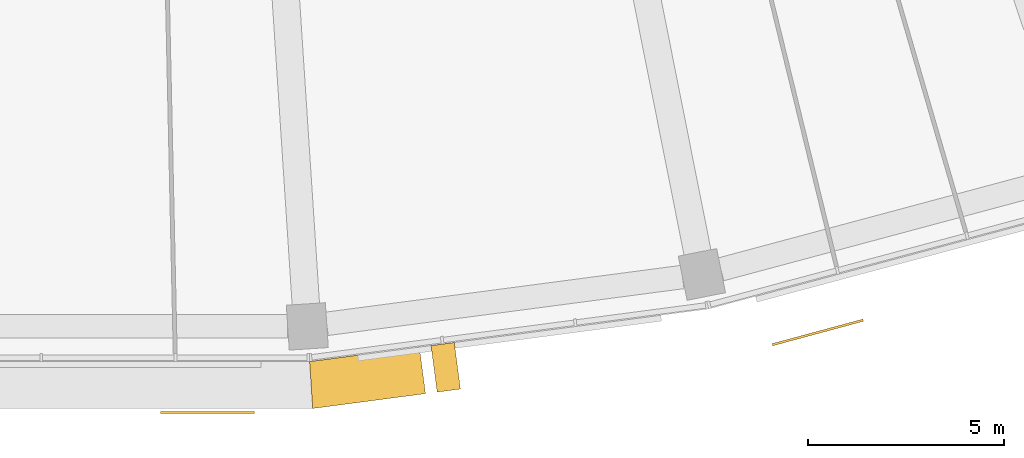
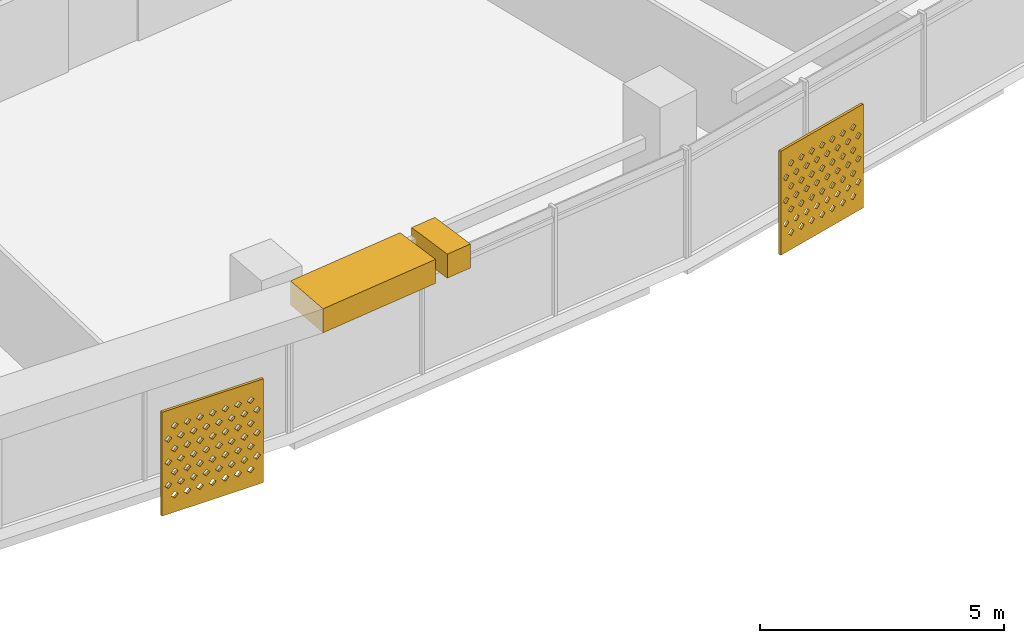
# One storey, part 26 of 29: 4 shading devices.
"""IFC4 building model written with IfcOpenShell, lengths in metres."""

from ifc_helpers import new_model, si_unit, direction, frame, origin, place, context, subcontext, project, spatial, polyline, outline, extrude, material, material_profile, profile_set, type_object, element, save


model = new_model("IFC4")

# Units and contexts
model_context = context("Model", 3, precision=1e-05, world=origin(), true_north=direction((0.0, 1.0)))
body_context = subcontext(model_context, "Body", "Model", "MODEL_VIEW")
ifc_project = project(units=[si_unit("LENGTHUNIT", "METRE"), si_unit("AREAUNIT", "SQUARE_METRE"), si_unit("VOLUMEUNIT", "CUBIC_METRE"), si_unit("PLANEANGLEUNIT", "RADIAN"), si_unit("MASSUNIT", "GRAM", prefix="KILO")], contexts=[model_context])

# Site, building, storey
site_placement = place(None, origin())
site = spatial("IfcSite", under=ifc_project, at=site_placement, CompositionType="ELEMENT")
building_placement = place(site_placement, origin())
building = spatial("IfcBuilding", under=site, at=building_placement, Name="Qamariyya Broadcast Tower", CompositionType="ELEMENT")
storey_placement = place(building_placement, frame((0.0, 0.0, 207.5)))
storey = spatial("IfcBuildingStorey", under=building, at=storey_placement, Name="L49", CompositionType="ELEMENT", Elevation=207.5)

# Shading devices
ifc_material_1 = material(Name="Steel S355 powder coated deep red", Category="steel")
shading_device_type_1 = type_object("IfcShadingDeviceType", Name="Deep red frame, powder coated steel box section", PredefinedType="USERDEFINED", material=ifc_material_1)
shading_device_1_placement = place(storey_placement, frame((0.0, 0.0, 3.199951171875)))
element("IfcShadingDevice", 1, at=shading_device_1_placement, inside=storey, type_object=shading_device_type_1, Name="e-frm-B4-F2-postb-L49", ObjectType="FRAME", PredefinedType="USERDEFINED", context=body_context, shape_type="SweptSolid", body=[
    extrude(outline(polyline([(8.24658203125, -78.0732421875), (8.403076171875, -79.262939453125), (8.998046875, -79.1845703125), (8.84130859375, -77.994873046875), (8.24658203125, -78.0732421875)])), origin(), (0.0, 0.0, 1.0), 0.60009765625),
])
shading_device_2_placement = place(storey_placement, frame((0.0, 0.0, 3.199951171875)))
element("IfcShadingDevice", 2, at=shading_device_2_placement, inside=storey, type_object=shading_device_type_1, Name="e-frm-B4-F2-bot2", ObjectType="FRAME", PredefinedType="USERDEFINED", context=body_context, shape_type="SweptSolid", body=[
    extrude(outline(polyline([(5.14404296875, -78.481689453125), (5.22265625, -79.681640625), (8.105712890625, -79.302001953125), (7.948974609375, -78.1123046875), (5.14404296875, -78.481689453125)])), origin(), (0.0, 0.0, 1.0), 0.60009765625),
])
ifc_material_2 = material(Name="Perforated glazed terracotta", Category="masonry")
ifc_material_profile = material_profile(ifc_material_2, outline(polyline([(-1.199951171875, -1.300048828125), (1.199951171875, -1.300048828125), (1.199951171875, 1.300048828125), (-1.199951171875, 1.300048828125), (-1.199951171875, -1.300048828125)]), holes=[polyline([(-0.81494140625, -0.86669921875), (-0.89990234375, -0.78173828125), (-0.985107421875, -0.86669921875), (-0.89990234375, -0.95166015625), (-0.81494140625, -0.86669921875)]), polyline([(-0.514892578125, -0.86669921875), (-0.60009765625, -0.78173828125), (-0.68505859375, -0.86669921875), (-0.60009765625, -0.95166015625), (-0.514892578125, -0.86669921875)]), polyline([(-0.215087890625, -0.86669921875), (-0.300048828125, -0.78173828125), (-0.385009765625, -0.86669921875), (-0.300048828125, -0.95166015625), (-0.215087890625, -0.86669921875)]), polyline([(0.0849609375, -0.86669921875), (0.0, -0.78173828125), (-0.0849609375, -0.86669921875), (0.0, -0.95166015625), (0.0849609375, -0.86669921875)]), polyline([(0.385009765625, -0.86669921875), (0.300048828125, -0.78173828125), (0.215087890625, -0.86669921875), (0.300048828125, -0.95166015625), (0.385009765625, -0.86669921875)]), polyline([(0.68505859375, -0.86669921875), (0.60009765625, -0.78173828125), (0.514892578125, -0.86669921875), (0.60009765625, -0.95166015625), (0.68505859375, -0.86669921875)]), polyline([(0.985107421875, -0.86669921875), (0.89990234375, -0.78173828125), (0.81494140625, -0.86669921875), (0.89990234375, -0.95166015625), (0.985107421875, -0.86669921875)]), polyline([(-0.965087890625, -0.577880859375), (-1.050048828125, -0.49267578125), (-1.135009765625, -0.577880859375), (-1.050048828125, -0.662841796875), (-0.965087890625, -0.577880859375)]), polyline([(-0.6650390625, -0.577880859375), (-0.75, -0.49267578125), (-0.8349609375, -0.577880859375), (-0.75, -0.662841796875), (-0.6650390625, -0.577880859375)]), polyline([(-0.364990234375, -0.577880859375), (-0.449951171875, -0.49267578125), (-0.534912109375, -0.577880859375), (-0.449951171875, -0.662841796875), (-0.364990234375, -0.577880859375)]), polyline([(-0.06494140625, -0.577880859375), (-0.14990234375, -0.49267578125), (-0.235107421875, -0.577880859375), (-0.14990234375, -0.662841796875), (-0.06494140625, -0.577880859375)]), polyline([(0.235107421875, -0.577880859375), (0.14990234375, -0.49267578125), (0.06494140625, -0.577880859375), (0.14990234375, -0.662841796875), (0.235107421875, -0.577880859375)]), polyline([(0.534912109375, -0.577880859375), (0.449951171875, -0.49267578125), (0.364990234375, -0.577880859375), (0.449951171875, -0.662841796875), (0.534912109375, -0.577880859375)]), polyline([(0.8349609375, -0.577880859375), (0.75, -0.49267578125), (0.6650390625, -0.577880859375), (0.75, -0.662841796875), (0.8349609375, -0.577880859375)]), polyline([(1.135009765625, -0.577880859375), (1.050048828125, -0.49267578125), (0.965087890625, -0.577880859375), (1.050048828125, -0.662841796875), (1.135009765625, -0.577880859375)]), polyline([(-0.81494140625, -0.288818359375), (-0.89990234375, -0.203857421875), (-0.985107421875, -0.288818359375), (-0.89990234375, -0.373779296875), (-0.81494140625, -0.288818359375)]), polyline([(-0.514892578125, -0.288818359375), (-0.60009765625, -0.203857421875), (-0.68505859375, -0.288818359375), (-0.60009765625, -0.373779296875), (-0.514892578125, -0.288818359375)]), polyline([(-0.215087890625, -0.288818359375), (-0.300048828125, -0.203857421875), (-0.385009765625, -0.288818359375), (-0.300048828125, -0.373779296875), (-0.215087890625, -0.288818359375)]), polyline([(0.0849609375, -0.288818359375), (0.0, -0.203857421875), (-0.0849609375, -0.288818359375), (0.0, -0.373779296875), (0.0849609375, -0.288818359375)]), polyline([(0.385009765625, -0.288818359375), (0.300048828125, -0.203857421875), (0.215087890625, -0.288818359375), (0.300048828125, -0.373779296875), (0.385009765625, -0.288818359375)]), polyline([(0.68505859375, -0.288818359375), (0.60009765625, -0.203857421875), (0.514892578125, -0.288818359375), (0.60009765625, -0.373779296875), (0.68505859375, -0.288818359375)]), polyline([(0.985107421875, -0.288818359375), (0.89990234375, -0.203857421875), (0.81494140625, -0.288818359375), (0.89990234375, -0.373779296875), (0.985107421875, -0.288818359375)]), polyline([(-0.965087890625, 0.0), (-1.050048828125, 0.0849609375), (-1.135009765625, 0.0), (-1.050048828125, -0.0849609375), (-0.965087890625, 0.0)]), polyline([(-0.6650390625, 0.0), (-0.75, 0.0849609375), (-0.8349609375, 0.0), (-0.75, -0.0849609375), (-0.6650390625, 0.0)]), polyline([(-0.364990234375, 0.0), (-0.449951171875, 0.0849609375), (-0.534912109375, 0.0), (-0.449951171875, -0.0849609375), (-0.364990234375, 0.0)]), polyline([(-0.06494140625, 0.0), (-0.14990234375, 0.0849609375), (-0.235107421875, 0.0), (-0.14990234375, -0.0849609375), (-0.06494140625, 0.0)]), polyline([(0.235107421875, 0.0), (0.14990234375, 0.0849609375), (0.06494140625, 0.0), (0.14990234375, -0.0849609375), (0.235107421875, 0.0)]), polyline([(0.534912109375, 0.0), (0.449951171875, 0.0849609375), (0.364990234375, 0.0), (0.449951171875, -0.0849609375), (0.534912109375, 0.0)]), polyline([(0.8349609375, 0.0), (0.75, 0.0849609375), (0.6650390625, 0.0), (0.75, -0.0849609375), (0.8349609375, 0.0)]), polyline([(1.135009765625, 0.0), (1.050048828125, 0.0849609375), (0.965087890625, 0.0), (1.050048828125, -0.0849609375), (1.135009765625, 0.0)]), polyline([(-0.81494140625, 0.288818359375), (-0.89990234375, 0.373779296875), (-0.985107421875, 0.288818359375), (-0.89990234375, 0.203857421875), (-0.81494140625, 0.288818359375)]), polyline([(-0.514892578125, 0.288818359375), (-0.60009765625, 0.373779296875), (-0.68505859375, 0.288818359375), (-0.60009765625, 0.203857421875), (-0.514892578125, 0.288818359375)]), polyline([(-0.215087890625, 0.288818359375), (-0.300048828125, 0.373779296875), (-0.385009765625, 0.288818359375), (-0.300048828125, 0.203857421875), (-0.215087890625, 0.288818359375)]), polyline([(0.0849609375, 0.288818359375), (0.0, 0.373779296875), (-0.0849609375, 0.288818359375), (0.0, 0.203857421875), (0.0849609375, 0.288818359375)]), polyline([(0.385009765625, 0.288818359375), (0.300048828125, 0.373779296875), (0.215087890625, 0.288818359375), (0.300048828125, 0.203857421875), (0.385009765625, 0.288818359375)]), polyline([(0.68505859375, 0.288818359375), (0.60009765625, 0.373779296875), (0.514892578125, 0.288818359375), (0.60009765625, 0.203857421875), (0.68505859375, 0.288818359375)]), polyline([(0.985107421875, 0.288818359375), (0.89990234375, 0.373779296875), (0.81494140625, 0.288818359375), (0.89990234375, 0.203857421875), (0.985107421875, 0.288818359375)]), polyline([(-0.965087890625, 0.577880859375), (-1.050048828125, 0.662841796875), (-1.135009765625, 0.577880859375), (-1.050048828125, 0.49267578125), (-0.965087890625, 0.577880859375)]), polyline([(-0.6650390625, 0.577880859375), (-0.75, 0.662841796875), (-0.8349609375, 0.577880859375), (-0.75, 0.49267578125), (-0.6650390625, 0.577880859375)]), polyline([(-0.364990234375, 0.577880859375), (-0.449951171875, 0.662841796875), (-0.534912109375, 0.577880859375), (-0.449951171875, 0.49267578125), (-0.364990234375, 0.577880859375)]), polyline([(-0.06494140625, 0.577880859375), (-0.14990234375, 0.662841796875), (-0.235107421875, 0.577880859375), (-0.14990234375, 0.49267578125), (-0.06494140625, 0.577880859375)]), polyline([(0.235107421875, 0.577880859375), (0.14990234375, 0.662841796875), (0.06494140625, 0.577880859375), (0.14990234375, 0.49267578125), (0.235107421875, 0.577880859375)]), polyline([(0.534912109375, 0.577880859375), (0.449951171875, 0.662841796875), (0.364990234375, 0.577880859375), (0.449951171875, 0.49267578125), (0.534912109375, 0.577880859375)]), polyline([(0.8349609375, 0.577880859375), (0.75, 0.662841796875), (0.6650390625, 0.577880859375), (0.75, 0.49267578125), (0.8349609375, 0.577880859375)]), polyline([(1.135009765625, 0.577880859375), (1.050048828125, 0.662841796875), (0.965087890625, 0.577880859375), (1.050048828125, 0.49267578125), (1.135009765625, 0.577880859375)]), polyline([(-0.81494140625, 0.86669921875), (-0.89990234375, 0.95166015625), (-0.985107421875, 0.86669921875), (-0.89990234375, 0.78173828125), (-0.81494140625, 0.86669921875)]), polyline([(-0.514892578125, 0.86669921875), (-0.60009765625, 0.95166015625), (-0.68505859375, 0.86669921875), (-0.60009765625, 0.78173828125), (-0.514892578125, 0.86669921875)]), polyline([(-0.215087890625, 0.86669921875), (-0.300048828125, 0.95166015625), (-0.385009765625, 0.86669921875), (-0.300048828125, 0.78173828125), (-0.215087890625, 0.86669921875)]), polyline([(0.0849609375, 0.86669921875), (0.0, 0.95166015625), (-0.0849609375, 0.86669921875), (0.0, 0.78173828125), (0.0849609375, 0.86669921875)]), polyline([(0.385009765625, 0.86669921875), (0.300048828125, 0.95166015625), (0.215087890625, 0.86669921875), (0.300048828125, 0.78173828125), (0.385009765625, 0.86669921875)]), polyline([(0.68505859375, 0.86669921875), (0.60009765625, 0.95166015625), (0.514892578125, 0.86669921875), (0.60009765625, 0.78173828125), (0.68505859375, 0.86669921875)]), polyline([(0.985107421875, 0.86669921875), (0.89990234375, 0.95166015625), (0.81494140625, 0.86669921875), (0.89990234375, 0.78173828125), (0.985107421875, 0.86669921875)])]))
ifc_profile_set = profile_set([ifc_material_profile], Name="Perforated glazed terracotta")
shading_device_type_2 = type_object("IfcShadingDeviceType", Name="Perforated terracotta screen 2400 x 2600", PredefinedType="USERDEFINED", material=ifc_profile_set)
shading_device_3_placement = place(storey_placement, frame((2.535888671875, -79.751708984375, 1.35009765625), z_axis=(0.0, -1.0, 0.0), x_axis=(1.0, 0.0, 0.0)))
element("IfcShadingDevice", 3, at=shading_device_3_placement, inside=storey, type_object=shading_device_type_2, Name="e-scr-L49-08-2", ObjectType="SCREEN", PredefinedType="USERDEFINED", context=body_context, shape_type="SweptSolid", body=[
    extrude(outline(polyline([(-1.199951171875, -1.300048828125), (1.199951171875, -1.300048828125), (1.199951171875, 1.300048828125), (-1.199951171875, 1.300048828125), (-1.199951171875, -1.300048828125)]), holes=[polyline([(-0.81494140625, -0.86669921875), (-0.89990234375, -0.78173828125), (-0.985107421875, -0.86669921875), (-0.89990234375, -0.95166015625), (-0.81494140625, -0.86669921875)]), polyline([(-0.514892578125, -0.86669921875), (-0.60009765625, -0.78173828125), (-0.68505859375, -0.86669921875), (-0.60009765625, -0.95166015625), (-0.514892578125, -0.86669921875)]), polyline([(-0.215087890625, -0.86669921875), (-0.300048828125, -0.78173828125), (-0.385009765625, -0.86669921875), (-0.300048828125, -0.95166015625), (-0.215087890625, -0.86669921875)]), polyline([(0.0849609375, -0.86669921875), (0.0, -0.78173828125), (-0.0849609375, -0.86669921875), (0.0, -0.95166015625), (0.0849609375, -0.86669921875)]), polyline([(0.385009765625, -0.86669921875), (0.300048828125, -0.78173828125), (0.215087890625, -0.86669921875), (0.300048828125, -0.95166015625), (0.385009765625, -0.86669921875)]), polyline([(0.68505859375, -0.86669921875), (0.60009765625, -0.78173828125), (0.514892578125, -0.86669921875), (0.60009765625, -0.95166015625), (0.68505859375, -0.86669921875)]), polyline([(0.985107421875, -0.86669921875), (0.89990234375, -0.78173828125), (0.81494140625, -0.86669921875), (0.89990234375, -0.95166015625), (0.985107421875, -0.86669921875)]), polyline([(-0.965087890625, -0.577880859375), (-1.050048828125, -0.49267578125), (-1.135009765625, -0.577880859375), (-1.050048828125, -0.662841796875), (-0.965087890625, -0.577880859375)]), polyline([(-0.6650390625, -0.577880859375), (-0.75, -0.49267578125), (-0.8349609375, -0.577880859375), (-0.75, -0.662841796875), (-0.6650390625, -0.577880859375)]), polyline([(-0.364990234375, -0.577880859375), (-0.449951171875, -0.49267578125), (-0.534912109375, -0.577880859375), (-0.449951171875, -0.662841796875), (-0.364990234375, -0.577880859375)]), polyline([(-0.06494140625, -0.577880859375), (-0.14990234375, -0.49267578125), (-0.235107421875, -0.577880859375), (-0.14990234375, -0.662841796875), (-0.06494140625, -0.577880859375)]), polyline([(0.235107421875, -0.577880859375), (0.14990234375, -0.49267578125), (0.06494140625, -0.577880859375), (0.14990234375, -0.662841796875), (0.235107421875, -0.577880859375)]), polyline([(0.534912109375, -0.577880859375), (0.449951171875, -0.49267578125), (0.364990234375, -0.577880859375), (0.449951171875, -0.662841796875), (0.534912109375, -0.577880859375)]), polyline([(0.8349609375, -0.577880859375), (0.75, -0.49267578125), (0.6650390625, -0.577880859375), (0.75, -0.662841796875), (0.8349609375, -0.577880859375)]), polyline([(1.135009765625, -0.577880859375), (1.050048828125, -0.49267578125), (0.965087890625, -0.577880859375), (1.050048828125, -0.662841796875), (1.135009765625, -0.577880859375)]), polyline([(-0.81494140625, -0.288818359375), (-0.89990234375, -0.203857421875), (-0.985107421875, -0.288818359375), (-0.89990234375, -0.373779296875), (-0.81494140625, -0.288818359375)]), polyline([(-0.514892578125, -0.288818359375), (-0.60009765625, -0.203857421875), (-0.68505859375, -0.288818359375), (-0.60009765625, -0.373779296875), (-0.514892578125, -0.288818359375)]), polyline([(-0.215087890625, -0.288818359375), (-0.300048828125, -0.203857421875), (-0.385009765625, -0.288818359375), (-0.300048828125, -0.373779296875), (-0.215087890625, -0.288818359375)]), polyline([(0.0849609375, -0.288818359375), (0.0, -0.203857421875), (-0.0849609375, -0.288818359375), (0.0, -0.373779296875), (0.0849609375, -0.288818359375)]), polyline([(0.385009765625, -0.288818359375), (0.300048828125, -0.203857421875), (0.215087890625, -0.288818359375), (0.300048828125, -0.373779296875), (0.385009765625, -0.288818359375)]), polyline([(0.68505859375, -0.288818359375), (0.60009765625, -0.203857421875), (0.514892578125, -0.288818359375), (0.60009765625, -0.373779296875), (0.68505859375, -0.288818359375)]), polyline([(0.985107421875, -0.288818359375), (0.89990234375, -0.203857421875), (0.81494140625, -0.288818359375), (0.89990234375, -0.373779296875), (0.985107421875, -0.288818359375)]), polyline([(-0.965087890625, 0.0), (-1.050048828125, 0.0849609375), (-1.135009765625, 0.0), (-1.050048828125, -0.0849609375), (-0.965087890625, 0.0)]), polyline([(-0.6650390625, 0.0), (-0.75, 0.0849609375), (-0.8349609375, 0.0), (-0.75, -0.0849609375), (-0.6650390625, 0.0)]), polyline([(-0.364990234375, 0.0), (-0.449951171875, 0.0849609375), (-0.534912109375, 0.0), (-0.449951171875, -0.0849609375), (-0.364990234375, 0.0)]), polyline([(-0.06494140625, 0.0), (-0.14990234375, 0.0849609375), (-0.235107421875, 0.0), (-0.14990234375, -0.0849609375), (-0.06494140625, 0.0)]), polyline([(0.235107421875, 0.0), (0.14990234375, 0.0849609375), (0.06494140625, 0.0), (0.14990234375, -0.0849609375), (0.235107421875, 0.0)]), polyline([(0.534912109375, 0.0), (0.449951171875, 0.0849609375), (0.364990234375, 0.0), (0.449951171875, -0.0849609375), (0.534912109375, 0.0)]), polyline([(0.8349609375, 0.0), (0.75, 0.0849609375), (0.6650390625, 0.0), (0.75, -0.0849609375), (0.8349609375, 0.0)]), polyline([(1.135009765625, 0.0), (1.050048828125, 0.0849609375), (0.965087890625, 0.0), (1.050048828125, -0.0849609375), (1.135009765625, 0.0)]), polyline([(-0.81494140625, 0.288818359375), (-0.89990234375, 0.373779296875), (-0.985107421875, 0.288818359375), (-0.89990234375, 0.203857421875), (-0.81494140625, 0.288818359375)]), polyline([(-0.514892578125, 0.288818359375), (-0.60009765625, 0.373779296875), (-0.68505859375, 0.288818359375), (-0.60009765625, 0.203857421875), (-0.514892578125, 0.288818359375)]), polyline([(-0.215087890625, 0.288818359375), (-0.300048828125, 0.373779296875), (-0.385009765625, 0.288818359375), (-0.300048828125, 0.203857421875), (-0.215087890625, 0.288818359375)]), polyline([(0.0849609375, 0.288818359375), (0.0, 0.373779296875), (-0.0849609375, 0.288818359375), (0.0, 0.203857421875), (0.0849609375, 0.288818359375)]), polyline([(0.385009765625, 0.288818359375), (0.300048828125, 0.373779296875), (0.215087890625, 0.288818359375), (0.300048828125, 0.203857421875), (0.385009765625, 0.288818359375)]), polyline([(0.68505859375, 0.288818359375), (0.60009765625, 0.373779296875), (0.514892578125, 0.288818359375), (0.60009765625, 0.203857421875), (0.68505859375, 0.288818359375)]), polyline([(0.985107421875, 0.288818359375), (0.89990234375, 0.373779296875), (0.81494140625, 0.288818359375), (0.89990234375, 0.203857421875), (0.985107421875, 0.288818359375)]), polyline([(-0.965087890625, 0.577880859375), (-1.050048828125, 0.662841796875), (-1.135009765625, 0.577880859375), (-1.050048828125, 0.49267578125), (-0.965087890625, 0.577880859375)]), polyline([(-0.6650390625, 0.577880859375), (-0.75, 0.662841796875), (-0.8349609375, 0.577880859375), (-0.75, 0.49267578125), (-0.6650390625, 0.577880859375)]), polyline([(-0.364990234375, 0.577880859375), (-0.449951171875, 0.662841796875), (-0.534912109375, 0.577880859375), (-0.449951171875, 0.49267578125), (-0.364990234375, 0.577880859375)]), polyline([(-0.06494140625, 0.577880859375), (-0.14990234375, 0.662841796875), (-0.235107421875, 0.577880859375), (-0.14990234375, 0.49267578125), (-0.06494140625, 0.577880859375)]), polyline([(0.235107421875, 0.577880859375), (0.14990234375, 0.662841796875), (0.06494140625, 0.577880859375), (0.14990234375, 0.49267578125), (0.235107421875, 0.577880859375)]), polyline([(0.534912109375, 0.577880859375), (0.449951171875, 0.662841796875), (0.364990234375, 0.577880859375), (0.449951171875, 0.49267578125), (0.534912109375, 0.577880859375)]), polyline([(0.8349609375, 0.577880859375), (0.75, 0.662841796875), (0.6650390625, 0.577880859375), (0.75, 0.49267578125), (0.8349609375, 0.577880859375)]), polyline([(1.135009765625, 0.577880859375), (1.050048828125, 0.662841796875), (0.965087890625, 0.577880859375), (1.050048828125, 0.49267578125), (1.135009765625, 0.577880859375)]), polyline([(-0.81494140625, 0.86669921875), (-0.89990234375, 0.95166015625), (-0.985107421875, 0.86669921875), (-0.89990234375, 0.78173828125), (-0.81494140625, 0.86669921875)]), polyline([(-0.514892578125, 0.86669921875), (-0.60009765625, 0.95166015625), (-0.68505859375, 0.86669921875), (-0.60009765625, 0.78173828125), (-0.514892578125, 0.86669921875)]), polyline([(-0.215087890625, 0.86669921875), (-0.300048828125, 0.95166015625), (-0.385009765625, 0.86669921875), (-0.300048828125, 0.78173828125), (-0.215087890625, 0.86669921875)]), polyline([(0.0849609375, 0.86669921875), (0.0, 0.95166015625), (-0.0849609375, 0.86669921875), (0.0, 0.78173828125), (0.0849609375, 0.86669921875)]), polyline([(0.385009765625, 0.86669921875), (0.300048828125, 0.95166015625), (0.215087890625, 0.86669921875), (0.300048828125, 0.78173828125), (0.385009765625, 0.86669921875)]), polyline([(0.68505859375, 0.86669921875), (0.60009765625, 0.95166015625), (0.514892578125, 0.86669921875), (0.60009765625, 0.78173828125), (0.68505859375, 0.86669921875)]), polyline([(0.985107421875, 0.86669921875), (0.89990234375, 0.95166015625), (0.81494140625, 0.86669921875), (0.89990234375, 0.78173828125), (0.985107421875, 0.86669921875)])]), origin(), (0.0, 0.0, 1.0), 0.059814453125),
])
shading_device_4_placement = place(storey_placement, frame((18.1220703125, -77.709228515625, 1.35009765625), z_axis=(0.260703819255, -0.965418830677, 0.0), x_axis=(0.965418830677, 0.260703819255, 0.0)))
element("IfcShadingDevice", 4, at=shading_device_4_placement, inside=storey, type_object=shading_device_type_2, Name="e-scr-L49-10-0", ObjectType="SCREEN", PredefinedType="USERDEFINED", context=body_context, shape_type="SweptSolid", body=[
    extrude(outline(polyline([(-1.199951171875, -1.300048828125), (1.199951171875, -1.300048828125), (1.199951171875, 1.300048828125), (-1.199951171875, 1.300048828125), (-1.199951171875, -1.300048828125)]), holes=[polyline([(-0.81494140625, -0.86669921875), (-0.89990234375, -0.78173828125), (-0.985107421875, -0.86669921875), (-0.89990234375, -0.95166015625), (-0.81494140625, -0.86669921875)]), polyline([(-0.514892578125, -0.86669921875), (-0.60009765625, -0.78173828125), (-0.68505859375, -0.86669921875), (-0.60009765625, -0.95166015625), (-0.514892578125, -0.86669921875)]), polyline([(-0.215087890625, -0.86669921875), (-0.300048828125, -0.78173828125), (-0.385009765625, -0.86669921875), (-0.300048828125, -0.95166015625), (-0.215087890625, -0.86669921875)]), polyline([(0.0849609375, -0.86669921875), (0.0, -0.78173828125), (-0.0849609375, -0.86669921875), (0.0, -0.95166015625), (0.0849609375, -0.86669921875)]), polyline([(0.385009765625, -0.86669921875), (0.300048828125, -0.78173828125), (0.215087890625, -0.86669921875), (0.300048828125, -0.95166015625), (0.385009765625, -0.86669921875)]), polyline([(0.68505859375, -0.86669921875), (0.60009765625, -0.78173828125), (0.514892578125, -0.86669921875), (0.60009765625, -0.95166015625), (0.68505859375, -0.86669921875)]), polyline([(0.985107421875, -0.86669921875), (0.89990234375, -0.78173828125), (0.81494140625, -0.86669921875), (0.89990234375, -0.95166015625), (0.985107421875, -0.86669921875)]), polyline([(-0.965087890625, -0.577880859375), (-1.050048828125, -0.49267578125), (-1.135009765625, -0.577880859375), (-1.050048828125, -0.662841796875), (-0.965087890625, -0.577880859375)]), polyline([(-0.6650390625, -0.577880859375), (-0.75, -0.49267578125), (-0.8349609375, -0.577880859375), (-0.75, -0.662841796875), (-0.6650390625, -0.577880859375)]), polyline([(-0.364990234375, -0.577880859375), (-0.449951171875, -0.49267578125), (-0.534912109375, -0.577880859375), (-0.449951171875, -0.662841796875), (-0.364990234375, -0.577880859375)]), polyline([(-0.06494140625, -0.577880859375), (-0.14990234375, -0.49267578125), (-0.235107421875, -0.577880859375), (-0.14990234375, -0.662841796875), (-0.06494140625, -0.577880859375)]), polyline([(0.235107421875, -0.577880859375), (0.14990234375, -0.49267578125), (0.06494140625, -0.577880859375), (0.14990234375, -0.662841796875), (0.235107421875, -0.577880859375)]), polyline([(0.534912109375, -0.577880859375), (0.449951171875, -0.49267578125), (0.364990234375, -0.577880859375), (0.449951171875, -0.662841796875), (0.534912109375, -0.577880859375)]), polyline([(0.8349609375, -0.577880859375), (0.75, -0.49267578125), (0.6650390625, -0.577880859375), (0.75, -0.662841796875), (0.8349609375, -0.577880859375)]), polyline([(1.135009765625, -0.577880859375), (1.050048828125, -0.49267578125), (0.965087890625, -0.577880859375), (1.050048828125, -0.662841796875), (1.135009765625, -0.577880859375)]), polyline([(-0.81494140625, -0.288818359375), (-0.89990234375, -0.203857421875), (-0.985107421875, -0.288818359375), (-0.89990234375, -0.373779296875), (-0.81494140625, -0.288818359375)]), polyline([(-0.514892578125, -0.288818359375), (-0.60009765625, -0.203857421875), (-0.68505859375, -0.288818359375), (-0.60009765625, -0.373779296875), (-0.514892578125, -0.288818359375)]), polyline([(-0.215087890625, -0.288818359375), (-0.300048828125, -0.203857421875), (-0.385009765625, -0.288818359375), (-0.300048828125, -0.373779296875), (-0.215087890625, -0.288818359375)]), polyline([(0.0849609375, -0.288818359375), (0.0, -0.203857421875), (-0.0849609375, -0.288818359375), (0.0, -0.373779296875), (0.0849609375, -0.288818359375)]), polyline([(0.385009765625, -0.288818359375), (0.300048828125, -0.203857421875), (0.215087890625, -0.288818359375), (0.300048828125, -0.373779296875), (0.385009765625, -0.288818359375)]), polyline([(0.68505859375, -0.288818359375), (0.60009765625, -0.203857421875), (0.514892578125, -0.288818359375), (0.60009765625, -0.373779296875), (0.68505859375, -0.288818359375)]), polyline([(0.985107421875, -0.288818359375), (0.89990234375, -0.203857421875), (0.81494140625, -0.288818359375), (0.89990234375, -0.373779296875), (0.985107421875, -0.288818359375)]), polyline([(-0.965087890625, 0.0), (-1.050048828125, 0.0849609375), (-1.135009765625, 0.0), (-1.050048828125, -0.0849609375), (-0.965087890625, 0.0)]), polyline([(-0.6650390625, 0.0), (-0.75, 0.0849609375), (-0.8349609375, 0.0), (-0.75, -0.0849609375), (-0.6650390625, 0.0)]), polyline([(-0.364990234375, 0.0), (-0.449951171875, 0.0849609375), (-0.534912109375, 0.0), (-0.449951171875, -0.0849609375), (-0.364990234375, 0.0)]), polyline([(-0.06494140625, 0.0), (-0.14990234375, 0.0849609375), (-0.235107421875, 0.0), (-0.14990234375, -0.0849609375), (-0.06494140625, 0.0)]), polyline([(0.235107421875, 0.0), (0.14990234375, 0.0849609375), (0.06494140625, 0.0), (0.14990234375, -0.0849609375), (0.235107421875, 0.0)]), polyline([(0.534912109375, 0.0), (0.449951171875, 0.0849609375), (0.364990234375, 0.0), (0.449951171875, -0.0849609375), (0.534912109375, 0.0)]), polyline([(0.8349609375, 0.0), (0.75, 0.0849609375), (0.6650390625, 0.0), (0.75, -0.0849609375), (0.8349609375, 0.0)]), polyline([(1.135009765625, 0.0), (1.050048828125, 0.0849609375), (0.965087890625, 0.0), (1.050048828125, -0.0849609375), (1.135009765625, 0.0)]), polyline([(-0.81494140625, 0.288818359375), (-0.89990234375, 0.373779296875), (-0.985107421875, 0.288818359375), (-0.89990234375, 0.203857421875), (-0.81494140625, 0.288818359375)]), polyline([(-0.514892578125, 0.288818359375), (-0.60009765625, 0.373779296875), (-0.68505859375, 0.288818359375), (-0.60009765625, 0.203857421875), (-0.514892578125, 0.288818359375)]), polyline([(-0.215087890625, 0.288818359375), (-0.300048828125, 0.373779296875), (-0.385009765625, 0.288818359375), (-0.300048828125, 0.203857421875), (-0.215087890625, 0.288818359375)]), polyline([(0.0849609375, 0.288818359375), (0.0, 0.373779296875), (-0.0849609375, 0.288818359375), (0.0, 0.203857421875), (0.0849609375, 0.288818359375)]), polyline([(0.385009765625, 0.288818359375), (0.300048828125, 0.373779296875), (0.215087890625, 0.288818359375), (0.300048828125, 0.203857421875), (0.385009765625, 0.288818359375)]), polyline([(0.68505859375, 0.288818359375), (0.60009765625, 0.373779296875), (0.514892578125, 0.288818359375), (0.60009765625, 0.203857421875), (0.68505859375, 0.288818359375)]), polyline([(0.985107421875, 0.288818359375), (0.89990234375, 0.373779296875), (0.81494140625, 0.288818359375), (0.89990234375, 0.203857421875), (0.985107421875, 0.288818359375)]), polyline([(-0.965087890625, 0.577880859375), (-1.050048828125, 0.662841796875), (-1.135009765625, 0.577880859375), (-1.050048828125, 0.49267578125), (-0.965087890625, 0.577880859375)]), polyline([(-0.6650390625, 0.577880859375), (-0.75, 0.662841796875), (-0.8349609375, 0.577880859375), (-0.75, 0.49267578125), (-0.6650390625, 0.577880859375)]), polyline([(-0.364990234375, 0.577880859375), (-0.449951171875, 0.662841796875), (-0.534912109375, 0.577880859375), (-0.449951171875, 0.49267578125), (-0.364990234375, 0.577880859375)]), polyline([(-0.06494140625, 0.577880859375), (-0.14990234375, 0.662841796875), (-0.235107421875, 0.577880859375), (-0.14990234375, 0.49267578125), (-0.06494140625, 0.577880859375)]), polyline([(0.235107421875, 0.577880859375), (0.14990234375, 0.662841796875), (0.06494140625, 0.577880859375), (0.14990234375, 0.49267578125), (0.235107421875, 0.577880859375)]), polyline([(0.534912109375, 0.577880859375), (0.449951171875, 0.662841796875), (0.364990234375, 0.577880859375), (0.449951171875, 0.49267578125), (0.534912109375, 0.577880859375)]), polyline([(0.8349609375, 0.577880859375), (0.75, 0.662841796875), (0.6650390625, 0.577880859375), (0.75, 0.49267578125), (0.8349609375, 0.577880859375)]), polyline([(1.135009765625, 0.577880859375), (1.050048828125, 0.662841796875), (0.965087890625, 0.577880859375), (1.050048828125, 0.49267578125), (1.135009765625, 0.577880859375)]), polyline([(-0.81494140625, 0.86669921875), (-0.89990234375, 0.95166015625), (-0.985107421875, 0.86669921875), (-0.89990234375, 0.78173828125), (-0.81494140625, 0.86669921875)]), polyline([(-0.514892578125, 0.86669921875), (-0.60009765625, 0.95166015625), (-0.68505859375, 0.86669921875), (-0.60009765625, 0.78173828125), (-0.514892578125, 0.86669921875)]), polyline([(-0.215087890625, 0.86669921875), (-0.300048828125, 0.95166015625), (-0.385009765625, 0.86669921875), (-0.300048828125, 0.78173828125), (-0.215087890625, 0.86669921875)]), polyline([(0.0849609375, 0.86669921875), (0.0, 0.95166015625), (-0.0849609375, 0.86669921875), (0.0, 0.78173828125), (0.0849609375, 0.86669921875)]), polyline([(0.385009765625, 0.86669921875), (0.300048828125, 0.95166015625), (0.215087890625, 0.86669921875), (0.300048828125, 0.78173828125), (0.385009765625, 0.86669921875)]), polyline([(0.68505859375, 0.86669921875), (0.60009765625, 0.95166015625), (0.514892578125, 0.86669921875), (0.60009765625, 0.78173828125), (0.68505859375, 0.86669921875)]), polyline([(0.985107421875, 0.86669921875), (0.89990234375, 0.95166015625), (0.81494140625, 0.86669921875), (0.89990234375, 0.78173828125), (0.985107421875, 0.86669921875)])]), origin(), (0.0, 0.0, 1.0), 0.059814453125),
])

save(model, "model.ifc")
